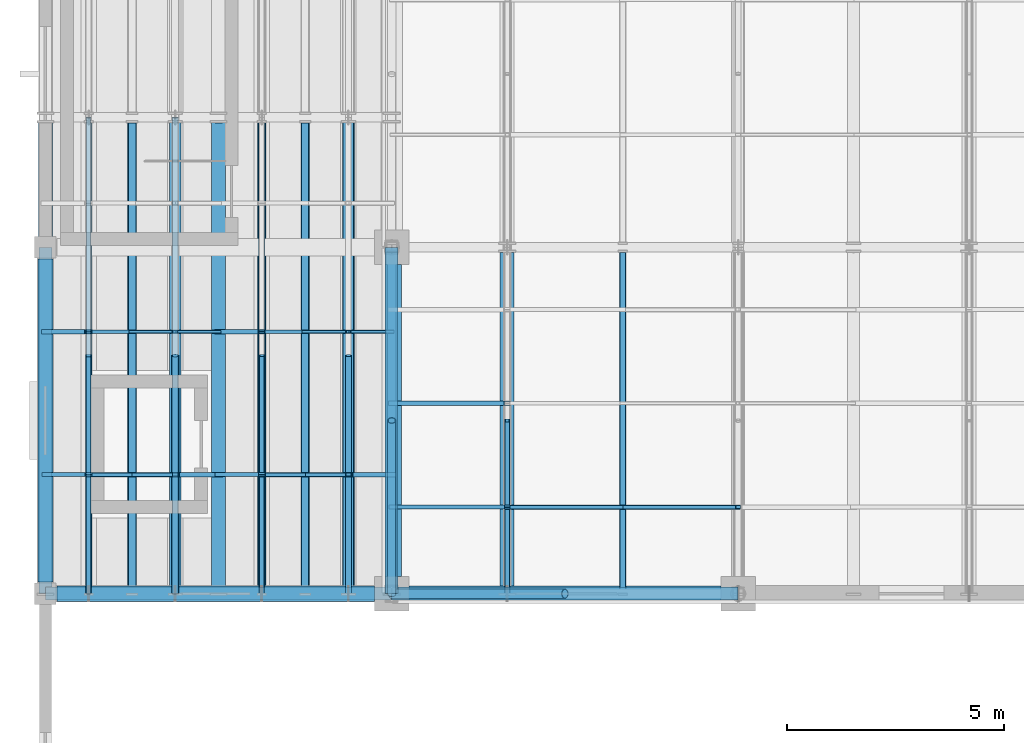
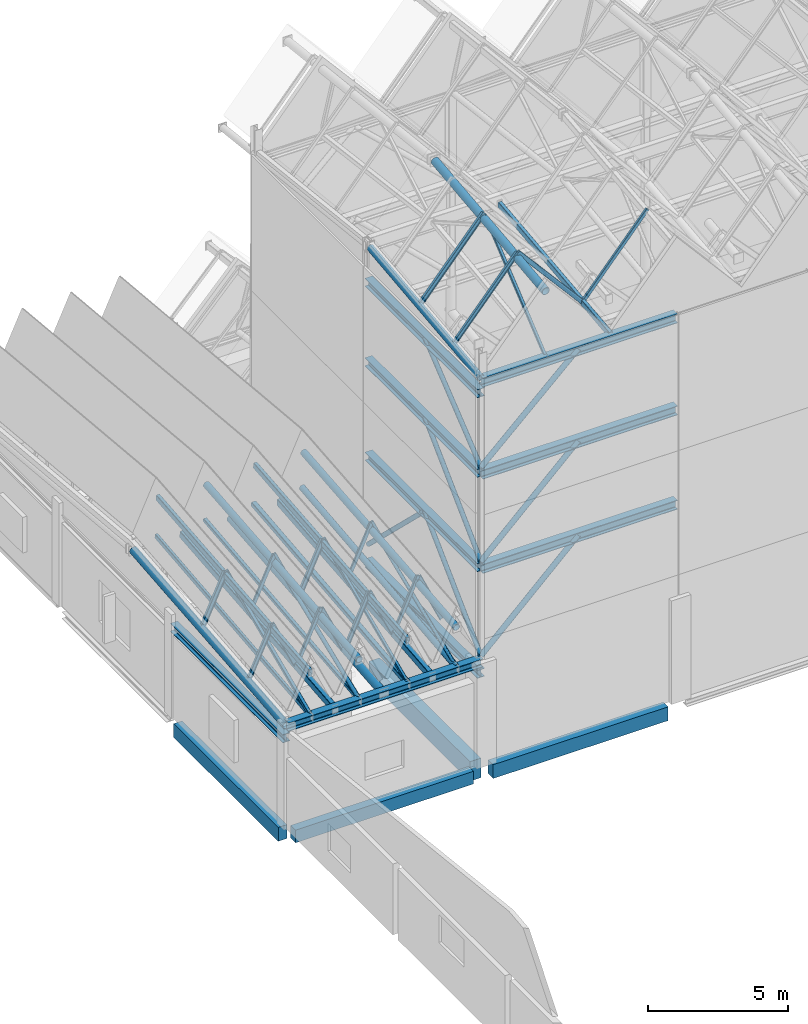
# One storey, part 8 of 48: 36 members, 24 beams.
"""IFC4 building model written with IfcOpenShell, lengths in metres."""

import ifcopenshell
import ifcopenshell.guid

model = None  # the IFC model being written
_history = None  # IfcOwnerHistory: only IFC2X3 demands one
_inside = {}  # id of a spatial element -> (the spatial element, [elements in it])
_under = {}  # id of a project, library or spatial element -> (it, [spatial elements below it])
_declared = {}  # id of a project -> (the project, [libraries it declares])
_typed = {}  # id of a type object -> (the type object, [elements of that type])
_made_of = {}  # id of a material, layer set ... -> (it, [elements and type objects made of it])


def new_model(schema):
    """Start an empty IFC model of exactly this schema.

    Asked for "IFC4X3", IfcOpenShell would pick the latest addendum, in which some entities
    have other attributes; the version numbers below select the first issue.
    IFC2X3 requires an IfcOwnerHistory on every rooted entity: one is made here for all.
    """
    global model, _history
    if schema == "IFC4X3":
        model = ifcopenshell.file(schema_version=(4, 3, 0, 0))
    else:
        model = ifcopenshell.file(schema=schema)
    _inside.clear()
    _under.clear()
    _declared.clear()
    _typed.clear()
    _made_of.clear()
    _history = None
    if model.schema == "IFC2X3":
        org = make("IfcOrganization", Name="unknown")
        user = make(
            "IfcPersonAndOrganization",
            ThePerson=make("IfcPerson", FamilyName="unknown"),
            TheOrganization=org,
        )
        app = make(
            "IfcApplication",
            ApplicationDeveloper=org,
            Version="unknown",
            ApplicationFullName="unknown",
            ApplicationIdentifier="unknown",
        )
        _history = make(
            "IfcOwnerHistory",
            OwningUser=user,
            OwningApplication=app,
            ChangeAction="ADDED",
            CreationDate=0,
        )
    return model


def make(cls, **values):
    """One entity of the class cls with the attributes given. An attribute that is None is left unset."""
    return model.create_entity(
        cls, **{name: value for name, value in values.items() if value is not None}
    )


def rooted(cls, **values):
    """An entity with a GlobalId (a new one), such as an element, a storey or a relation."""
    return make(cls, GlobalId=ifcopenshell.guid.new(), OwnerHistory=_history, **values)


def si_unit(unit_type, name, prefix=None):
    """IfcSIUnit, for example si_unit("LENGTHUNIT", "METRE", prefix="MILLI")."""
    return make("IfcSIUnit", UnitType=unit_type, Prefix=prefix, Name=name)


def assignment(units):
    """IfcUnitAssignment: the units of a project."""
    return None if units is None else make("IfcUnitAssignment", Units=units)


def point(xyz):
    """IfcCartesianPoint."""
    return None if xyz is None else make("IfcCartesianPoint", Coordinates=xyz)


def direction(xyz):
    """IfcDirection."""
    return None if xyz is None else make("IfcDirection", DirectionRatios=xyz)


def frame(location, z_axis=None, x_axis=None):
    """IfcAxis2Placement3D, a coordinate frame: its origin and axes. An axis left out is left unset."""
    return make(
        "IfcAxis2Placement3D",
        Location=point(location),
        Axis=direction(z_axis),
        RefDirection=direction(x_axis),
    )


def frame_2d(location, x_axis=None):
    """IfcAxis2Placement2D, a coordinate frame in the plane: its origin and x axis."""
    return make(
        "IfcAxis2Placement2D", Location=point(location), RefDirection=direction(x_axis)
    )


def origin():
    """The frame at (0, 0, 0) with its axes left unset."""
    return frame((0.0, 0.0, 0.0))


def origin_2d():
    """The frame at (0, 0) in the plane with its x axis left unset."""
    return frame_2d((0.0, 0.0))


def place(relative_to, where):
    """IfcLocalPlacement: puts the frame where relative to a parent placement (None: the world)."""
    return make(
        "IfcLocalPlacement", PlacementRelTo=relative_to, RelativePlacement=where
    )


def context(
    kind, dimensions, precision=None, world=None, true_north=None, identifier=None
):
    """IfcGeometricRepresentationContext, for example the 3D "Model" context."""
    return make(
        "IfcGeometricRepresentationContext",
        ContextIdentifier=identifier,
        ContextType=kind,
        CoordinateSpaceDimension=dimensions,
        Precision=precision,
        WorldCoordinateSystem=world,
        TrueNorth=true_north,
    )


def subcontext(parent, identifier, kind, view, scale=None):
    """IfcGeometricRepresentationSubContext, for example "Body" below "Model"."""
    return make(
        "IfcGeometricRepresentationSubContext",
        ContextIdentifier=identifier,
        ContextType=kind,
        ParentContext=parent,
        TargetScale=scale,
        TargetView=view,
    )


def project(units=None, contexts=None):
    """IfcProject with its units and contexts."""
    return rooted(
        "IfcProject",
        Name="project",
        RepresentationContexts=contexts,
        UnitsInContext=assignment(units),
    )


def spatial(cls, under=None, at=None, **own):
    """A site, building, storey or space (cls), placed at a placement, below another one or the project."""
    s = rooted(cls, ObjectPlacement=at, **own)
    if under is not None:
        _under.setdefault(under.id(), (under, []))[1].append(s)
    return s


def profile(cls, at=None, kind="AREA", **sizes):
    """A parametric profile (cls). Its sizes go by their IFC names, for example OverallWidth=200.0."""
    return make(cls, ProfileType=kind, Position=at, **sizes)


def rectangle(**sizes):
    """IfcRectangleProfileDef."""
    return profile("IfcRectangleProfileDef", **sizes)


def hollow_rectangle(**sizes):
    """IfcRectangleHollowProfileDef."""
    return profile("IfcRectangleHollowProfileDef", **sizes)


def hollow_circle(**sizes):
    """IfcCircleHollowProfileDef."""
    return profile("IfcCircleHollowProfileDef", **sizes)


def i_section(**sizes):
    """IfcIShapeProfileDef."""
    return profile("IfcIShapeProfileDef", **sizes)


def extrude(swept, where, along, depth):
    """IfcExtrudedAreaSolid: the profile swept, set in the frame where, extruded along a direction by depth."""
    return make(
        "IfcExtrudedAreaSolid",
        SweptArea=swept,
        Position=where,
        ExtrudedDirection=direction(along),
        Depth=depth,
    )


def shape(context_of_items, identifier, shape_type, items):
    """IfcShapeRepresentation: the items that make up one representation, for example the "Body"."""
    return make(
        "IfcShapeRepresentation",
        ContextOfItems=context_of_items,
        RepresentationIdentifier=identifier,
        RepresentationType=shape_type,
        Items=items,
    )


def material(Name=None, Category=None):
    """IfcMaterial."""
    return make("IfcMaterial", Name=Name, Category=Category)


def material_profile(
    of_material, cross_section, Name=None, Category=None, Priority=None
):
    """IfcMaterialProfile: a cross section and its material."""
    return make(
        "IfcMaterialProfile",
        Name=Name,
        Material=of_material,
        Profile=cross_section,
        Priority=Priority,
        Category=Category,
    )


def profile_set(profiles, Name=None, composite=None):
    """IfcMaterialProfileSet."""
    return make(
        "IfcMaterialProfileSet",
        Name=Name,
        MaterialProfiles=profiles,
        CompositeProfile=composite,
    )


def made_of(thing, what):
    """Note that an element or type object is made of a material, layer set ...; save() writes the relation."""
    if what is not None:
        _made_of.setdefault(what.id(), (what, []))[1].append(thing)
    return thing


def type_object(cls, material=None, **own):
    """A type object (cls), such as IfcWallType, which elements share."""
    return made_of(rooted(cls, **own), material)


def element(
    cls,
    number,
    at=None,
    inside=None,
    cuts=None,
    type_object=None,
    material=None,
    context=None,
    identifier="Body",
    shape_type=None,
    held_by="IfcProductDefinitionShape",
    body=None,
    shapes=None,
    **own,
):
    """One element of the class cls, such as IfcWall. Its Tag is "e" and its number.

    at: its placement. inside: the storey or other place that contains it. cuts: it is an
    opening in that element (IfcRelVoidsElement). A single representation is given by context,
    identifier, shape_type and body (its items); several are given by shapes. held_by: the class
    of the entity that holds the representations. save() writes the other relations.
    """
    e = rooted(cls, Tag="e%d" % number, ObjectPlacement=at, **own)
    if body is not None:
        shapes = [shape(context, identifier, shape_type, body)]
    if shapes is not None:
        e.Representation = make(held_by, Representations=shapes)
    if inside is not None:
        _inside.setdefault(inside.id(), (inside, []))[1].append(e)
    if cuts is not None:
        rooted(
            "IfcRelVoidsElement", RelatingBuildingElement=cuts, RelatedOpeningElement=e
        )
    if type_object is not None:
        _typed.setdefault(type_object.id(), (type_object, []))[1].append(e)
    return made_of(e, material)


def aggregate(whole, parts):
    """IfcRelAggregates: a whole, such as a stair, and the parts it consists of."""
    return rooted("IfcRelAggregates", RelatingObject=whole, RelatedObjects=parts)


def save(model, path):
    """Write the relations noted so far, then the file.

    IfcRelAggregates (storeys below a building ...), IfcRelContainedInSpatialStructure (elements
    in a storey), IfcRelDefinesByType, IfcRelAssociatesMaterial and IfcRelDeclares: one each for
    every whole, place, type object, material and project.
    """
    for whole, parts in _under.values():
        aggregate(whole, parts)
    for where, things in _inside.values():
        rooted(
            "IfcRelContainedInSpatialStructure",
            RelatedElements=things,
            RelatingStructure=where,
        )
    for kind, things in _typed.values():
        rooted("IfcRelDefinesByType", RelatedObjects=things, RelatingType=kind)
    for what, things in _made_of.values():
        rooted("IfcRelAssociatesMaterial", RelatedObjects=things, RelatingMaterial=what)
    for by, libraries in _declared.values():
        rooted("IfcRelDeclares", RelatingContext=by, RelatedDefinitions=libraries)
    model.write(path)


model = new_model("IFC4")

# Units and contexts
model_context = context("Model", 3, precision=1e-05, world=origin(), true_north=direction((0.0, 1.0)))
body_context = subcontext(model_context, "Body", "Model", "MODEL_VIEW")
ifc_project = project(units=[si_unit("LENGTHUNIT", "METRE"), si_unit("AREAUNIT", "SQUARE_METRE"), si_unit("VOLUMEUNIT", "CUBIC_METRE"), si_unit("PLANEANGLEUNIT", "RADIAN"), si_unit("MASSUNIT", "GRAM", prefix="KILO")], contexts=[model_context])

# Site, building, storey
site_placement = place(None, origin())
site = spatial("IfcSite", under=ifc_project, at=site_placement, CompositionType="ELEMENT")
building_placement = place(site_placement, origin())
building = spatial("IfcBuilding", under=site, at=building_placement, Name="Luwemba Playhouse", CompositionType="ELEMENT")
storey_placement = place(building_placement, frame((0.0, 0.0, 13.800048828125)))
storey = spatial("IfcBuildingStorey", under=building, at=storey_placement, Name="L03", CompositionType="ELEMENT", Elevation=13.800048828125)

# Beams
ifc_material_1 = material(Name="Concrete C40/50", Category="concrete")
ifc_material_profile_1 = material_profile(ifc_material_1, rectangle(XDim=0.449951171875, YDim=0.85009765625, at=origin_2d()))
ifc_profile_set_1 = profile_set([ifc_material_profile_1], Name="Concrete C40/50")
beam_type_1 = type_object("IfcBeamType", Name="BM-RB05", PredefinedType="BEAM", material=ifc_profile_set_1)
beam_1_placement = place(storey_placement, frame((12.0, 68.39990234375, -0.655029296875), z_axis=(0.0, 1.0, 0.0), x_axis=(-1.0, 0.0, 0.0)))
element("IfcBeam", 1, at=beam_1_placement, inside=storey, type_object=beam_type_1, Name="L03 transverse girder 0848", PredefinedType="BEAM", context=body_context, shape_type="SweptSolid", body=[
    extrude(rectangle(XDim=0.449951171875, YDim=0.85009765625, at=origin_2d()), origin(), (0.0, 0.0, 1.0), 7.2001953125),
])
ifc_material_2 = material(Name="Steel S355", Category="steel")
ifc_material_profile_2 = material_profile(ifc_material_2, hollow_rectangle(XDim=0.14990234375, YDim=0.25, WallThickness=0.010009765625, InnerFilletRadius=0.014892578125, OuterFilletRadius=0.02490234375, at=origin_2d()))
ifc_profile_set_2 = profile_set([ifc_material_profile_2], Name="Steel S355")
beam_type_2 = type_object("IfcBeamType", Name="BM-RTG1", PredefinedType="USERDEFINED", material=ifc_profile_set_2)
beam_2_placement = place(storey_placement, frame((17.333251953125, 68.0, 16.637939453125), z_axis=(0.0, 0.993767688729, 0.111470986529), x_axis=(-1.0, 0.0, 0.0)))
element("IfcBeam", 2, at=beam_2_placement, inside=storey, type_object=beam_type_2, Name="ROOF TRUSS valley girder 0059", ObjectType="ROOF TRUSS", PredefinedType="USERDEFINED", context=body_context, shape_type="SweptSolid", body=[
    extrude(hollow_rectangle(XDim=0.14990234375, YDim=0.25, WallThickness=0.010009765625, InnerFilletRadius=0.014892578125, OuterFilletRadius=0.02490234375, at=origin_2d()), origin(), (0.0, 0.0, 1.0), 7.939453125),
])
for number, where, z_axis, x_axis, name in (
    (3, (5.0, 68.0, 6.270751953125), (0.0, 0.995693600249, 0.0927052017), (-1.0, 0.0, 0.0), "ROOF TRUSS ridge girder 0094"),
    (4, (9.0, 68.0, 6.270751953125), (0.0, 0.995693600249, 0.0927052017), (-1.0, 0.0, 0.0), "ROOF TRUSS ridge girder 0102"),
):
    element("IfcBeam", number, at=place(storey_placement, frame(where, z_axis=z_axis, x_axis=x_axis)), inside=storey, type_object=beam_type_2, Name=name, ObjectType="ROOF TRUSS", PredefinedType="USERDEFINED", context=body_context, shape_type="SweptSolid", body=[
        extrude(hollow_rectangle(XDim=0.14990234375, YDim=0.25, WallThickness=0.010009765625, InnerFilletRadius=0.014892578125, OuterFilletRadius=0.02490234375, at=origin_2d()), origin(), (0.0, 0.0, 1.0), 10.93701171875),
    ])
ifc_material_profile_3 = material_profile(ifc_material_2, hollow_rectangle(XDim=0.199951171875, YDim=0.300048828125, WallThickness=0.012451171875, InnerFilletRadius=0.018798828125, OuterFilletRadius=0.03125, at=origin_2d()))
ifc_profile_set_3 = profile_set([ifc_material_profile_3], Name="Steel S355")
beam_type_3 = type_object("IfcBeamType", Name="BM-RTG2", PredefinedType="USERDEFINED", material=ifc_profile_set_3)
for number, where, z_axis, x_axis, name in (
    (5, (6.0, 68.0, 4.329833984375), (0.0, 0.995693600249, 0.0927052017), (-1.0, 0.0, 0.0), "ROOF TRUSS valley girder 0096"),
    (6, (10.0, 68.0, 4.329833984375), (0.0, 0.995693600249, 0.0927052017), (-1.0, 0.0, 0.0), "ROOF TRUSS valley girder 0104"),
):
    element("IfcBeam", number, at=place(storey_placement, frame(where, z_axis=z_axis, x_axis=x_axis)), inside=storey, type_object=beam_type_3, Name=name, ObjectType="ROOF TRUSS", PredefinedType="USERDEFINED", context=body_context, shape_type="SweptSolid", body=[
        extrude(hollow_rectangle(XDim=0.199951171875, YDim=0.300048828125, WallThickness=0.012451171875, InnerFilletRadius=0.018798828125, OuterFilletRadius=0.03125, at=origin_2d()), origin(), (0.0, 0.0, 1.0), 10.93701171875),
    ])
ifc_material_profile_4 = material_profile(ifc_material_2, hollow_circle(Radius=0.136474609375, WallThickness=0.012451171875, at=origin_2d()))
ifc_profile_set_4 = profile_set([ifc_material_profile_4], Name="Steel S355")
beam_type_4 = type_object("IfcBeamType", Name="BM-RTG3", PredefinedType="USERDEFINED", material=ifc_profile_set_4)
beam_3_placement = place(storey_placement, frame((12.0, 68.0, 16.62646484375), z_axis=(0.0, 0.993767688729, 0.111470986529), x_axis=(-1.0, 0.0, 0.0)))
element("IfcBeam", 7, at=beam_3_placement, inside=storey, type_object=beam_type_4, Name="ROOF TRUSS valley girder 0055", ObjectType="ROOF TRUSS", PredefinedType="USERDEFINED", context=body_context, shape_type="SweptSolid", body=[
    extrude(hollow_circle(Radius=0.136474609375, WallThickness=0.012451171875, at=origin_2d()), origin(), (0.0, 0.0, 1.0), 7.939453125),
])
for number, where, z_axis, x_axis, name in (
    (8, (7.0, 68.0, 6.125244140625), (0.0, 0.995693600249, 0.0927052017), (-1.0, 0.0, 0.0), "ROOF TRUSS ridge girder 0098"),
    (9, (11.0, 68.0, 6.125244140625), (0.0, 0.995693600249, 0.0927052017), (-1.0, 0.0, 0.0), "ROOF TRUSS ridge girder 0106"),
):
    element("IfcBeam", number, at=place(storey_placement, frame(where, z_axis=z_axis, x_axis=x_axis)), inside=storey, type_object=beam_type_4, Name=name, ObjectType="ROOF TRUSS", PredefinedType="USERDEFINED", context=body_context, shape_type="SweptSolid", body=[
        extrude(hollow_circle(Radius=0.136474609375, WallThickness=0.012451171875, at=origin_2d()), origin(), (0.0, 0.0, 1.0), 10.93701171875),
    ])
ifc_material_profile_5 = material_profile(ifc_material_2, hollow_circle(Radius=0.161865234375, WallThickness=0.01611328125, at=origin_2d()))
ifc_profile_set_5 = profile_set([ifc_material_profile_5], Name="Steel S355")
beam_type_5 = type_object("IfcBeamType", Name="BM-RTG4", PredefinedType="USERDEFINED", material=ifc_profile_set_5)
beam_4_placement = place(storey_placement, frame((14.666748046875, 68.0, 19.458740234375), z_axis=(0.0, 0.993767688729, 0.111470986529), x_axis=(-1.0, 0.0, 0.0)))
element("IfcBeam", 10, at=beam_4_placement, inside=storey, type_object=beam_type_5, Name="ROOF TRUSS ridge girder 0057", ObjectType="ROOF TRUSS", PredefinedType="USERDEFINED", context=body_context, shape_type="SweptSolid", body=[
    extrude(hollow_circle(Radius=0.161865234375, WallThickness=0.01611328125, at=origin_2d()), origin(), (0.0, 0.0, 1.0), 7.939453125),
])
for number, where, z_axis, x_axis, name in (
    (11, (4.0, 68.0, 4.31787109375), (0.0, 0.995693600249, 0.0927052017), (-1.0, 0.0, 0.0), "ROOF TRUSS valley girder 0092"),
    (12, (8.0, 68.0, 4.31787109375), (0.0, 0.995693600249, 0.0927052017), (-1.0, 0.0, 0.0), "ROOF TRUSS valley girder 0100"),
):
    element("IfcBeam", number, at=place(storey_placement, frame(where, z_axis=z_axis, x_axis=x_axis)), inside=storey, type_object=beam_type_5, Name=name, ObjectType="ROOF TRUSS", PredefinedType="USERDEFINED", context=body_context, shape_type="SweptSolid", body=[
        extrude(hollow_circle(Radius=0.161865234375, WallThickness=0.01611328125, at=origin_2d()), origin(), (0.0, 0.0, 1.0), 10.93701171875),
    ])
ifc_material_profile_6 = material_profile(ifc_material_2, i_section(OverallWidth=0.300048828125, OverallDepth=0.360107421875, WebThickness=0.012451171875, FlangeThickness=0.0224609375, FilletRadius=0.027099609375, at=origin_2d()))
ifc_profile_set_6 = profile_set([ifc_material_profile_6], Name="Steel S355")
beam_type_6 = type_object("IfcBeamType", Name="BM-SB09", PredefinedType="BEAM", material=ifc_profile_set_6)
for number, where, z_axis, x_axis, name in (
    (13, (12.0, 68.0, 8.419921875), (0.0, 1.0, 0.0), (-1.0, 0.0, 0.0), "Fly tower side ring beam 009"),
    (14, (12.0, 68.0, 12.52001953125), (0.0, 1.0, 0.0), (-1.0, 0.0, 0.0), "Fly tower side ring beam 021"),
    (15, (12.0, 68.0, 15.97998046875), (0.0, 1.0, 0.0), (-1.0, 0.0, 0.0), "Fly tower side ring beam 033"),
    (16, (4.0, 68.0, 4.320068359375), (1.0, 0.0, 0.0), (0.0, 1.0, 0.0), "RF-V2-LOW eave ring beam 0081"),
    (17, (4.0, 68.0, 3.780029296875), (0.0, 1.0, 0.0), (-1.0, 0.0, 0.0), "RF-V2-LOW gable ring beam 0083"),
    (18, (12.0, 68.0, 3.780029296875), (0.0, 1.0, 0.0), (-1.0, 0.0, 0.0), "RF-V2-LOW gable ring beam 0086"),
):
    element("IfcBeam", number, at=place(storey_placement, frame(where, z_axis=z_axis, x_axis=x_axis)), inside=storey, type_object=beam_type_6, Name=name, PredefinedType="BEAM", context=body_context, shape_type="SweptSolid", body=[
        extrude(i_section(OverallWidth=0.300048828125, OverallDepth=0.360107421875, WebThickness=0.012451171875, FlangeThickness=0.0224609375, FilletRadius=0.027099609375, at=origin_2d()), origin(), (0.0, 0.0, 1.0), 8.0),
    ])
ifc_material_profile_7 = material_profile(ifc_material_2, i_section(OverallWidth=0.300048828125, OverallDepth=0.39990234375, WebThickness=0.013427734375, FlangeThickness=0.02392578125, FilletRadius=0.027099609375, at=origin_2d()))
ifc_profile_set_7 = profile_set([ifc_material_profile_7], Name="Steel S355")
beam_type_7 = type_object("IfcBeamType", Name="BM-SB10", PredefinedType="BEAM", material=ifc_profile_set_7)
for number, where, z_axis, x_axis, name in (
    (19, (12.0, 68.0, 8.39990234375), (1.0, 0.0, 0.0), (0.0, 1.0, 0.0), "Fly tower ring beam 001"),
    (20, (12.0, 68.0, 12.5), (1.0, 0.0, 0.0), (0.0, 1.0, 0.0), "Fly tower ring beam 013"),
    (21, (12.0, 68.0, 16.5), (1.0, 0.0, 0.0), (0.0, 1.0, 0.0), "Fly tower ring beam 025"),
):
    element("IfcBeam", number, at=place(storey_placement, frame(where, z_axis=z_axis, x_axis=x_axis)), inside=storey, type_object=beam_type_7, Name=name, PredefinedType="BEAM", context=body_context, shape_type="SweptSolid", body=[
        extrude(i_section(OverallWidth=0.300048828125, OverallDepth=0.39990234375, WebThickness=0.013427734375, FlangeThickness=0.02392578125, FilletRadius=0.027099609375, at=origin_2d()), origin(), (0.0, 0.0, 1.0), 8.0),
    ])
ifc_material_profile_8 = material_profile(ifc_material_1, rectangle(XDim=0.35009765625, YDim=0.550048828125, at=origin_2d()))
ifc_profile_set_8 = profile_set([ifc_material_profile_8], Name="Concrete C40/50")
beam_type_8 = type_object("IfcBeamType", Name="BM-SP2", PredefinedType="SPANDREL", material=ifc_profile_set_8)
beam_5_placement = place(storey_placement, frame((4.27490234375, 68.0, -0.505126953125), z_axis=(1.0, 0.0, 0.0), x_axis=(0.0, 1.0, 0.0)))
element("IfcBeam", 22, at=beam_5_placement, inside=storey, type_object=beam_type_8, Name="L03 grid girder 0829", PredefinedType="SPANDREL", context=body_context, shape_type="SweptSolid", body=[
    extrude(rectangle(XDim=0.35009765625, YDim=0.550048828125, at=origin_2d()), origin(), (0.0, 0.0, 1.0), 7.3251953125),
])
ifc_material_profile_9 = material_profile(ifc_material_1, rectangle(XDim=0.35009765625, YDim=0.60009765625, at=origin_2d()))
ifc_profile_set_9 = profile_set([ifc_material_profile_9], Name="Concrete C40/50")
beam_type_9 = type_object("IfcBeamType", Name="BM-SP3", PredefinedType="SPANDREL", material=ifc_profile_set_9)
beam_6_placement = place(storey_placement, frame((12.39990234375, 68.0, -0.530029296875), z_axis=(1.0, 0.0, 0.0), x_axis=(0.0, 1.0, 0.0)))
element("IfcBeam", 23, at=beam_6_placement, inside=storey, type_object=beam_type_9, Name="L03 grid girder 0830", PredefinedType="SPANDREL", context=body_context, shape_type="SweptSolid", body=[
    extrude(rectangle(XDim=0.35009765625, YDim=0.60009765625, at=origin_2d()), origin(), (0.0, 0.0, 1.0), 7.2001953125),
])
beam_7_placement = place(storey_placement, frame((4.0, 68.27490234375, -0.530029296875), z_axis=(0.0, 1.0, 0.0), x_axis=(-1.0, 0.0, 0.0)))
element("IfcBeam", 24, at=beam_7_placement, inside=storey, type_object=beam_type_9, Name="L03 transverse girder 0845", PredefinedType="SPANDREL", context=body_context, shape_type="SweptSolid", body=[
    extrude(rectangle(XDim=0.35009765625, YDim=0.60009765625, at=origin_2d()), origin(), (0.0, 0.0, 1.0), 7.4501953125),
])

# Members
ifc_material_profile_10 = material_profile(ifc_material_2, hollow_circle(Radius=0.06982421875, WallThickness=0.008056640625, at=origin_2d()))
ifc_profile_set_10 = profile_set([ifc_material_profile_10], Name="Steel S355")
member_type_1 = type_object("IfcMemberType", Name="MEM-MB01", PredefinedType="BRACE", material=ifc_profile_set_10)
member_1_placement = place(storey_placement, frame((11.0, 68.0, 4.39990234375), z_axis=(0.0, 0.926280076389, 0.376835799898), x_axis=(-1.0, 0.0, 0.0)))
element("IfcMember", 25, at=member_1_placement, inside=storey, type_object=member_type_1, Name="ROOF TRUSS web diagonal 0099", PredefinedType="BRACE", context=body_context, shape_type="SweptSolid", body=[
    extrude(hollow_circle(Radius=0.06982421875, WallThickness=0.008056640625, at=origin_2d()), origin(), (0.0, 0.0, 1.0), 5.937744140625),
])
ifc_material_profile_11 = material_profile(ifc_material_2, hollow_circle(Radius=0.084228515625, WallThickness=0.008056640625, at=origin_2d()))
ifc_profile_set_11 = profile_set([ifc_material_profile_11], Name="Steel S355")
member_type_2 = type_object("IfcMemberType", Name="MEM-MB02", PredefinedType="BRACE", material=ifc_profile_set_11)
member_2_placement = place(storey_placement, frame((7.0, 68.0, 4.39990234375), z_axis=(0.0, 0.926280076389, 0.376835799898), x_axis=(-1.0, 0.0, 0.0)))
element("IfcMember", 26, at=member_2_placement, inside=storey, type_object=member_type_2, Name="ROOF TRUSS web diagonal 0087", PredefinedType="BRACE", context=body_context, shape_type="SweptSolid", body=[
    extrude(hollow_circle(Radius=0.084228515625, WallThickness=0.008056640625, at=origin_2d()), origin(), (0.0, 0.0, 1.0), 5.937744140625),
])
ifc_material_profile_12 = material_profile(ifc_material_2, hollow_circle(Radius=0.096923828125, WallThickness=0.010009765625, at=origin_2d()))
ifc_profile_set_12 = profile_set([ifc_material_profile_12], Name="Steel S355")
member_type_3 = type_object("IfcMemberType", Name="MEM-MB03", PredefinedType="BRACE", material=ifc_profile_set_12)
for number, where, z_axis, x_axis, name in (
    (27, (12.0, 68.0, 4.550048828125), (0.0, 0.718700426469, 0.695319852293), (-1.0, 0.0, 0.0), "Fly tower side brace 009"),
    (28, (12.0, 76.0, 4.550048828125), (0.0, -0.718700426469, 0.695319852293), (1.0, 0.0, 0.0), "Fly tower side brace 010"),
    (29, (12.0, 68.0, 8.64990234375), (0.0, 0.718678505774, 0.695342509371), (-1.0, 0.0, 0.0), "Fly tower side brace 025"),
):
    element("IfcMember", number, at=place(storey_placement, frame(where, z_axis=z_axis, x_axis=x_axis)), inside=storey, type_object=member_type_3, Name=name, PredefinedType="BRACE", context=body_context, shape_type="SweptSolid", body=[
        extrude(hollow_circle(Radius=0.096923828125, WallThickness=0.010009765625, at=origin_2d()), origin(), (0.0, 0.0, 1.0), 5.565673828125),
    ])
member_3_placement = place(storey_placement, frame((12.0, 68.0, 12.75), z_axis=(0.0, 0.778016166517, 0.628244255555), x_axis=(-1.0, 0.0, 0.0)))
element("IfcMember", 30, at=member_3_placement, inside=storey, type_object=member_type_3, Name="Fly tower side brace 041", PredefinedType="BRACE", context=body_context, shape_type="SweptSolid", body=[
    extrude(hollow_circle(Radius=0.096923828125, WallThickness=0.010009765625, at=origin_2d()), origin(), (0.0, 0.0, 1.0), 5.141357421875),
])
ifc_material_profile_13 = material_profile(ifc_material_2, hollow_circle(Radius=0.109619140625, WallThickness=0.012451171875, at=origin_2d()))
ifc_profile_set_13 = profile_set([ifc_material_profile_13], Name="Steel S355")
member_type_4 = type_object("IfcMemberType", Name="MEM-MB04", PredefinedType="BRACE", material=ifc_profile_set_13)
for number, where, z_axis, x_axis, name in (
    (31, (12.0, 68.0, 4.550048828125), (0.720500036349, 0.0, 0.693454899486), (0.0, 1.0, 0.0), "Fly tower lateral brace 001"),
    (32, (12.0, 68.0, 8.64990234375), (0.720478064824, 0.0, 0.693477727189), (0.0, 1.0, 0.0), "Fly tower lateral brace 017"),
):
    element("IfcMember", number, at=place(storey_placement, frame(where, z_axis=z_axis, x_axis=x_axis)), inside=storey, type_object=member_type_4, Name=name, PredefinedType="BRACE", context=body_context, shape_type="SweptSolid", body=[
        extrude(hollow_circle(Radius=0.109619140625, WallThickness=0.012451171875, at=origin_2d()), origin(), (0.0, 0.0, 1.0), 5.5517578125),
    ])
member_4_placement = place(storey_placement, frame((12.0, 68.0, 12.75), z_axis=(0.72953720414, 0.0, 0.683941128881), x_axis=(0.0, 1.0, 0.0)))
element("IfcMember", 33, at=member_4_placement, inside=storey, type_object=member_type_4, Name="Fly tower lateral brace 033", PredefinedType="BRACE", context=body_context, shape_type="SweptSolid", body=[
    extrude(hollow_circle(Radius=0.109619140625, WallThickness=0.012451171875, at=origin_2d()), origin(), (0.0, 0.0, 1.0), 5.48291015625),
])
ifc_material_profile_14 = material_profile(ifc_material_2, hollow_rectangle(XDim=0.1201171875, YDim=0.1201171875, WallThickness=0.008056640625, InnerFilletRadius=0.011962890625, OuterFilletRadius=0.02001953125, at=origin_2d()))
ifc_profile_set_14 = profile_set([ifc_material_profile_14], Name="Steel S355")
member_type_5 = type_object("IfcMemberType", Name="MEM-MB06", PredefinedType="BRACE", material=ifc_profile_set_14)
member_5_placement = place(storey_placement, frame((14.666748046875, 68.0, 16.599853515625), z_axis=(0.0, 0.770652379967, 0.637255764392), x_axis=(-1.0, 0.0, 0.0)))
element("IfcMember", 34, at=member_5_placement, inside=storey, type_object=member_type_5, Name="ROOF TRUSS web diagonal 0045", PredefinedType="BRACE", context=body_context, shape_type="SweptSolid", body=[
    extrude(hollow_rectangle(XDim=0.1201171875, YDim=0.1201171875, WallThickness=0.008056640625, InnerFilletRadius=0.011962890625, OuterFilletRadius=0.02001953125, at=origin_2d()), origin(), (0.0, 0.0, 1.0), 5.1904296875),
])
member_6_placement = place(storey_placement, frame((9.0, 68.0, 4.39990234375), z_axis=(0.0, 0.917587323206, 0.39753428065), x_axis=(-1.0, 0.0, 0.0)))
element("IfcMember", 35, at=member_6_placement, inside=storey, type_object=member_type_5, Name="ROOF TRUSS web diagonal 0093", PredefinedType="BRACE", context=body_context, shape_type="SweptSolid", body=[
    extrude(hollow_rectangle(XDim=0.1201171875, YDim=0.1201171875, WallThickness=0.008056640625, InnerFilletRadius=0.011962890625, OuterFilletRadius=0.02001953125, at=origin_2d()), origin(), (0.0, 0.0, 1.0), 5.993896484375),
])
ifc_material_profile_15 = material_profile(ifc_material_2, hollow_rectangle(XDim=0.139892578125, YDim=0.139892578125, WallThickness=0.008056640625, InnerFilletRadius=0.011962890625, OuterFilletRadius=0.02001953125, at=origin_2d()))
ifc_profile_set_15 = profile_set([ifc_material_profile_15], Name="Steel S355")
member_type_6 = type_object("IfcMemberType", Name="MEM-MB07", PredefinedType="BRACE", material=ifc_profile_set_15)
member_7_placement = place(storey_placement, frame((5.0, 68.0, 4.39990234375), z_axis=(0.0, 0.917587323206, 0.39753428065), x_axis=(-1.0, 0.0, 0.0)))
element("IfcMember", 36, at=member_7_placement, inside=storey, type_object=member_type_6, Name="ROOF TRUSS web diagonal 0081", PredefinedType="BRACE", context=body_context, shape_type="SweptSolid", body=[
    extrude(hollow_rectangle(XDim=0.139892578125, YDim=0.139892578125, WallThickness=0.008056640625, InnerFilletRadius=0.011962890625, OuterFilletRadius=0.02001953125, at=origin_2d()), origin(), (0.0, 0.0, 1.0), 5.993896484375),
])
ifc_material_profile_16 = material_profile(ifc_material_2, hollow_circle(Radius=0.122314453125, WallThickness=0.012451171875, at=origin_2d()))
ifc_profile_set_16 = profile_set([ifc_material_profile_16], Name="Steel S355")
member_type_7 = type_object("IfcMemberType", Name="MEM-MC01", PredefinedType="CHORD", material=ifc_profile_set_16)
member_8_placement = place(storey_placement, frame((11.0, 68.0, 4.39990234375), z_axis=(0.0, 0.994635078236, 0.10344593343), x_axis=(-1.0, 0.0, 0.0)))
element("IfcMember", 37, at=member_8_placement, inside=storey, type_object=member_type_7, Name="ROOF TRUSS south bottom chord 0097", PredefinedType="CHORD", context=body_context, shape_type="SweptSolid", body=[
    extrude(hollow_circle(Radius=0.122314453125, WallThickness=0.012451171875, at=origin_2d()), origin(), (0.0, 0.0, 1.0), 11.059326171875),
])
ifc_material_profile_17 = material_profile(ifc_material_2, hollow_rectangle(XDim=0.14990234375, YDim=0.14990234375, WallThickness=0.010009765625, InnerFilletRadius=0.014892578125, OuterFilletRadius=0.02490234375, at=origin_2d()))
ifc_profile_set_17 = profile_set([ifc_material_profile_17], Name="Steel S355")
member_type_8 = type_object("IfcMemberType", Name="MEM-MC02", PredefinedType="CHORD", material=ifc_profile_set_17)
member_9_placement = place(storey_placement, frame((7.0, 68.0, 4.39990234375), z_axis=(0.0, 0.994635078236, 0.10344593343), x_axis=(-1.0, 0.0, 0.0)))
element("IfcMember", 38, at=member_9_placement, inside=storey, type_object=member_type_8, Name="ROOF TRUSS south bottom chord 0085", PredefinedType="CHORD", context=body_context, shape_type="SweptSolid", body=[
    extrude(hollow_rectangle(XDim=0.14990234375, YDim=0.14990234375, WallThickness=0.010009765625, InnerFilletRadius=0.014892578125, OuterFilletRadius=0.02490234375, at=origin_2d()), origin(), (0.0, 0.0, 1.0), 11.059326171875),
])
ifc_material_profile_18 = material_profile(ifc_material_2, hollow_rectangle(XDim=0.199951171875, YDim=0.199951171875, WallThickness=0.012451171875, InnerFilletRadius=0.018798828125, OuterFilletRadius=0.03125, at=origin_2d()))
ifc_profile_set_18 = profile_set([ifc_material_profile_18], Name="Steel S355")
member_type_9 = type_object("IfcMemberType", Name="MEM-MC04", PredefinedType="CHORD", material=ifc_profile_set_18)
member_10_placement = place(storey_placement, frame((9.0, 68.0, 4.39990234375), z_axis=(0.0, 0.994635078236, 0.10344593343), x_axis=(-1.0, 0.0, 0.0)))
element("IfcMember", 39, at=member_10_placement, inside=storey, type_object=member_type_9, Name="ROOF TRUSS south bottom chord 0091", PredefinedType="CHORD", context=body_context, shape_type="SweptSolid", body=[
    extrude(hollow_rectangle(XDim=0.199951171875, YDim=0.199951171875, WallThickness=0.012451171875, InnerFilletRadius=0.018798828125, OuterFilletRadius=0.03125, at=origin_2d()), origin(), (0.0, 0.0, 1.0), 11.059326171875),
])
ifc_material_profile_19 = material_profile(ifc_material_2, hollow_rectangle(XDim=0.1201171875, YDim=0.199951171875, WallThickness=0.010009765625, InnerFilletRadius=0.014892578125, OuterFilletRadius=0.02490234375, at=origin_2d()))
ifc_profile_set_19 = profile_set([ifc_material_profile_19], Name="Steel S355")
member_type_10 = type_object("IfcMemberType", Name="MEM-MC05", PredefinedType="CHORD", material=ifc_profile_set_19)
member_11_placement = place(storey_placement, frame((5.0, 68.0, 4.39990234375), z_axis=(0.0, 0.994635078236, 0.10344593343), x_axis=(-1.0, 0.0, 0.0)))
element("IfcMember", 40, at=member_11_placement, inside=storey, type_object=member_type_10, Name="ROOF TRUSS south bottom chord 0079", PredefinedType="CHORD", context=body_context, shape_type="SweptSolid", body=[
    extrude(hollow_rectangle(XDim=0.1201171875, YDim=0.199951171875, WallThickness=0.010009765625, InnerFilletRadius=0.014892578125, OuterFilletRadius=0.02490234375, at=origin_2d()), origin(), (0.0, 0.0, 1.0), 11.059326171875),
])
ifc_material_profile_20 = material_profile(ifc_material_2, hollow_rectangle(XDim=0.080078125, YDim=0.1201171875, WallThickness=0.00634765625, InnerFilletRadius=0.009521484375, OuterFilletRadius=0.015869140625, at=origin_2d()))
ifc_profile_set_20 = profile_set([ifc_material_profile_20], Name="Steel S355")
member_type_11 = type_object("IfcMemberType", Name="MEM-MP01", PredefinedType="PURLIN", material=ifc_profile_set_20)
for number, where, z_axis, x_axis, name in (
    (41, (7.0, 74.050048828125, 7.0771484375), (0.417570696245, 0.0, -0.908644437411), (0.0, 1.0, 0.0), "Pleated roof purlin 0176"),
    (42, (11.0, 74.050048828125, 7.0771484375), (0.417570696245, 0.0, -0.908644437411), (0.0, 1.0, 0.0), "Pleated roof purlin 0200"),
):
    element("IfcMember", number, at=place(storey_placement, frame(where, z_axis=z_axis, x_axis=x_axis)), inside=storey, type_object=member_type_11, Name=name, PredefinedType="PURLIN", context=body_context, shape_type="SweptSolid", body=[
        extrude(hollow_rectangle(XDim=0.080078125, YDim=0.1201171875, WallThickness=0.00634765625, InnerFilletRadius=0.009521484375, OuterFilletRadius=0.015869140625, at=origin_2d()), origin(), (0.0, 0.0, 1.0), 2.394775390625),
    ])
ifc_material_profile_21 = material_profile(ifc_material_2, hollow_rectangle(XDim=0.10009765625, YDim=0.14990234375, WallThickness=0.008056640625, InnerFilletRadius=0.011962890625, OuterFilletRadius=0.02001953125, at=origin_2d()))
ifc_profile_set_21 = profile_set([ifc_material_profile_21], Name="Steel S355")
member_type_12 = type_object("IfcMemberType", Name="MEM-MP02", PredefinedType="PURLIN", material=ifc_profile_set_21)
member_12_placement = place(storey_placement, frame((17.333251953125, 70.0, 16.859130859375), z_axis=(0.651808038275, 0.0, 0.758383993265), x_axis=(0.0, 1.0, 0.0)))
element("IfcMember", 43, at=member_12_placement, inside=storey, type_object=member_type_12, Name="Pleated roof purlin 0097", PredefinedType="PURLIN", context=body_context, shape_type="SweptSolid", body=[
    extrude(hollow_rectangle(XDim=0.10009765625, YDim=0.14990234375, WallThickness=0.008056640625, InnerFilletRadius=0.011962890625, OuterFilletRadius=0.02001953125, at=origin_2d()), origin(), (0.0, 0.0, 1.0), 4.09130859375),
])
for number, where, z_axis, x_axis, name in (
    (44, (6.0, 70.75, 4.55712890625), (0.417570696245, 0.0, 0.908644437411), (0.0, 1.0, 0.0), "Pleated roof purlin 0169"),
    (45, (10.0, 70.75, 4.55712890625), (0.417570696245, 0.0, 0.908644437411), (0.0, 1.0, 0.0), "Pleated roof purlin 0193"),
):
    element("IfcMember", number, at=place(storey_placement, frame(where, z_axis=z_axis, x_axis=x_axis)), inside=storey, type_object=member_type_12, Name=name, PredefinedType="PURLIN", context=body_context, shape_type="SweptSolid", body=[
        extrude(hollow_rectangle(XDim=0.10009765625, YDim=0.14990234375, WallThickness=0.008056640625, InnerFilletRadius=0.011962890625, OuterFilletRadius=0.02001953125, at=origin_2d()), origin(), (0.0, 0.0, 1.0), 2.394775390625),
    ])
ifc_material_profile_22 = material_profile(ifc_material_2, hollow_rectangle(XDim=0.080078125, YDim=0.159912109375, WallThickness=0.00634765625, InnerFilletRadius=0.009521484375, OuterFilletRadius=0.015869140625, at=origin_2d()))
ifc_profile_set_22 = profile_set([ifc_material_profile_22], Name="Steel S355")
member_type_13 = type_object("IfcMemberType", Name="MEM-MP03", PredefinedType="PURLIN", material=ifc_profile_set_22)
for number, where, z_axis, x_axis, name in (
    (46, (6.0, 74.050048828125, 4.881103515625), (0.417570696245, 0.0, 0.908644437411), (0.0, 1.0, 0.0), "Pleated roof purlin 0170"),
    (47, (10.0, 74.050048828125, 4.881103515625), (0.417570696245, 0.0, 0.908644437411), (0.0, 1.0, 0.0), "Pleated roof purlin 0194"),
):
    element("IfcMember", number, at=place(storey_placement, frame(where, z_axis=z_axis, x_axis=x_axis)), inside=storey, type_object=member_type_13, Name=name, PredefinedType="PURLIN", context=body_context, shape_type="SweptSolid", body=[
        extrude(hollow_rectangle(XDim=0.080078125, YDim=0.159912109375, WallThickness=0.00634765625, InnerFilletRadius=0.009521484375, OuterFilletRadius=0.015869140625, at=origin_2d()), origin(), (0.0, 0.0, 1.0), 2.394775390625),
    ])
ifc_material_profile_23 = material_profile(ifc_material_2, hollow_rectangle(XDim=0.10009765625, YDim=0.179931640625, WallThickness=0.008056640625, InnerFilletRadius=0.011962890625, OuterFilletRadius=0.02001953125, at=origin_2d()))
ifc_profile_set_23 = profile_set([ifc_material_profile_23], Name="Steel S355")
member_type_14 = type_object("IfcMemberType", Name="MEM-MP04", PredefinedType="PURLIN", material=ifc_profile_set_23)
member_13_placement = place(storey_placement, frame((14.666748046875, 70.0, 19.94677734375), z_axis=(0.651803214757, 0.0, -0.758388138906), x_axis=(0.0, 1.0, 0.0)))
element("IfcMember", 48, at=member_13_placement, inside=storey, type_object=member_type_14, Name="Pleated roof purlin 0091", PredefinedType="PURLIN", context=body_context, shape_type="SweptSolid", body=[
    extrude(hollow_rectangle(XDim=0.10009765625, YDim=0.179931640625, WallThickness=0.008056640625, InnerFilletRadius=0.011962890625, OuterFilletRadius=0.02001953125, at=origin_2d()), origin(), (0.0, 0.0, 1.0), 4.091064453125),
])
for number, where, z_axis, x_axis, name in (
    (49, (5.0, 70.75, 6.71826171875), (0.417570696245, 0.0, -0.908644437411), (0.0, 1.0, 0.0), "Pleated roof purlin 0163"),
    (50, (9.0, 70.75, 6.71826171875), (0.417570696245, 0.0, -0.908644437411), (0.0, 1.0, 0.0), "Pleated roof purlin 0187"),
):
    element("IfcMember", number, at=place(storey_placement, frame(where, z_axis=z_axis, x_axis=x_axis)), inside=storey, type_object=member_type_14, Name=name, PredefinedType="PURLIN", context=body_context, shape_type="SweptSolid", body=[
        extrude(hollow_rectangle(XDim=0.10009765625, YDim=0.179931640625, WallThickness=0.008056640625, InnerFilletRadius=0.011962890625, OuterFilletRadius=0.02001953125, at=origin_2d()), origin(), (0.0, 0.0, 1.0), 2.394775390625),
    ])
ifc_material_profile_24 = material_profile(ifc_material_2, i_section(OverallWidth=0.08203125, OverallDepth=0.159912109375, WebThickness=0.0048828125, FlangeThickness=0.00732421875, FilletRadius=0.009033203125, at=origin_2d()))
ifc_profile_set_24 = profile_set([ifc_material_profile_24], Name="Steel S355")
member_type_15 = type_object("IfcMemberType", Name="MEM-MP05", PredefinedType="PURLIN", material=ifc_profile_set_24)
for number, where, z_axis, x_axis, name in (
    (51, (5.0, 74.050048828125, 7.054931640625), (0.417570696245, 0.0, -0.908644437411), (0.0, 1.0, 0.0), "Pleated roof purlin 0164"),
    (52, (9.0, 74.050048828125, 7.054931640625), (0.417570696245, 0.0, -0.908644437411), (0.0, 1.0, 0.0), "Pleated roof purlin 0188"),
):
    element("IfcMember", number, at=place(storey_placement, frame(where, z_axis=z_axis, x_axis=x_axis)), inside=storey, type_object=member_type_15, Name=name, PredefinedType="PURLIN", context=body_context, shape_type="SweptSolid", body=[
        extrude(i_section(OverallWidth=0.08203125, OverallDepth=0.159912109375, WebThickness=0.0048828125, FlangeThickness=0.00732421875, FilletRadius=0.009033203125, at=origin_2d()), origin(), (0.0, 0.0, 1.0), 2.394775390625),
    ])
ifc_material_profile_25 = material_profile(ifc_material_2, i_section(OverallWidth=0.091064453125, OverallDepth=0.179931640625, WebThickness=0.00537109375, FlangeThickness=0.008056640625, FilletRadius=0.009033203125, at=origin_2d()))
ifc_profile_set_25 = profile_set([ifc_material_profile_25], Name="Steel S355")
member_type_16 = type_object("IfcMemberType", Name="MEM-MP06", PredefinedType="PURLIN", material=ifc_profile_set_25)
member_14_placement = place(storey_placement, frame((12.0, 70.0, 16.849365234375), z_axis=(0.651808038275, 0.0, 0.758383993265), x_axis=(0.0, 1.0, 0.0)))
element("IfcMember", 53, at=member_14_placement, inside=storey, type_object=member_type_16, Name="Pleated roof purlin 0085", PredefinedType="PURLIN", context=body_context, shape_type="SweptSolid", body=[
    extrude(i_section(OverallWidth=0.091064453125, OverallDepth=0.179931640625, WebThickness=0.00537109375, FlangeThickness=0.008056640625, FilletRadius=0.009033203125, at=origin_2d()), origin(), (0.0, 0.0, 1.0), 4.09130859375),
])
for number, where, z_axis, x_axis, name in (
    (54, (4.0, 70.75, 4.552001953125), (0.417570696245, 0.0, 0.908644437411), (0.0, 1.0, 0.0), "Pleated roof purlin 0157"),
    (55, (8.0, 70.75, 4.552001953125), (0.417570696245, 0.0, 0.908644437411), (0.0, 1.0, 0.0), "Pleated roof purlin 0181"),
):
    element("IfcMember", number, at=place(storey_placement, frame(where, z_axis=z_axis, x_axis=x_axis)), inside=storey, type_object=member_type_16, Name=name, PredefinedType="PURLIN", context=body_context, shape_type="SweptSolid", body=[
        extrude(i_section(OverallWidth=0.091064453125, OverallDepth=0.179931640625, WebThickness=0.00537109375, FlangeThickness=0.008056640625, FilletRadius=0.009033203125, at=origin_2d()), origin(), (0.0, 0.0, 1.0), 2.394775390625),
    ])
ifc_material_profile_26 = material_profile(ifc_material_2, i_section(OverallWidth=0.10009765625, OverallDepth=0.199951171875, WebThickness=0.005615234375, FlangeThickness=0.008544921875, FilletRadius=0.011962890625, at=origin_2d()))
ifc_profile_set_26 = profile_set([ifc_material_profile_26], Name="Steel S355")
member_type_17 = type_object("IfcMemberType", Name="MEM-MP07", PredefinedType="PURLIN", material=ifc_profile_set_26)
member_15_placement = place(storey_placement, frame((12.0, 72.39990234375, 17.103515625), z_axis=(0.651837536714, 0.0, 0.758358639253), x_axis=(0.0, 1.0, 0.0)))
element("IfcMember", 56, at=member_15_placement, inside=storey, type_object=member_type_17, Name="Pleated roof purlin 0086", PredefinedType="PURLIN", context=body_context, shape_type="SweptSolid", body=[
    extrude(i_section(OverallWidth=0.10009765625, OverallDepth=0.199951171875, WebThickness=0.005615234375, FlangeThickness=0.008544921875, FilletRadius=0.011962890625, at=origin_2d()), origin(), (0.0, 0.0, 1.0), 4.091064453125),
])
for number, where, z_axis, x_axis, name in (
    (57, (4.0, 74.050048828125, 4.83935546875), (0.417570696245, 0.0, 0.908644437411), (0.0, 1.0, 0.0), "Pleated roof purlin 0158"),
    (58, (8.0, 74.050048828125, 4.83935546875), (0.417570696245, 0.0, 0.908644437411), (0.0, 1.0, 0.0), "Pleated roof purlin 0182"),
):
    element("IfcMember", number, at=place(storey_placement, frame(where, z_axis=z_axis, x_axis=x_axis)), inside=storey, type_object=member_type_17, Name=name, PredefinedType="PURLIN", context=body_context, shape_type="SweptSolid", body=[
        extrude(i_section(OverallWidth=0.10009765625, OverallDepth=0.199951171875, WebThickness=0.005615234375, FlangeThickness=0.008544921875, FilletRadius=0.011962890625, at=origin_2d()), origin(), (0.0, 0.0, 1.0), 2.394775390625),
    ])
ifc_material_profile_27 = material_profile(ifc_material_2, i_section(OverallWidth=0.110107421875, OverallDepth=0.219970703125, WebThickness=0.005859375, FlangeThickness=0.00927734375, FilletRadius=0.011962890625, at=origin_2d()))
ifc_profile_set_27 = profile_set([ifc_material_profile_27], Name="Steel S355")
member_type_18 = type_object("IfcMemberType", Name="MEM-MP08", PredefinedType="PURLIN", material=ifc_profile_set_27)
for number, where, z_axis, x_axis, name in (
    (59, (7.0, 70.75, 6.687255859375), (0.417570696245, 0.0, -0.908644437411), (0.0, 1.0, 0.0), "Pleated roof purlin 0175"),
    (60, (11.0, 70.75, 6.687255859375), (0.417570696245, 0.0, -0.908644437411), (0.0, 1.0, 0.0), "Pleated roof purlin 0199"),
):
    element("IfcMember", number, at=place(storey_placement, frame(where, z_axis=z_axis, x_axis=x_axis)), inside=storey, type_object=member_type_18, Name=name, PredefinedType="PURLIN", context=body_context, shape_type="SweptSolid", body=[
        extrude(i_section(OverallWidth=0.110107421875, OverallDepth=0.219970703125, WebThickness=0.005859375, FlangeThickness=0.00927734375, FilletRadius=0.011962890625, at=origin_2d()), origin(), (0.0, 0.0, 1.0), 2.394775390625),
    ])

save(model, "model.ifc")
